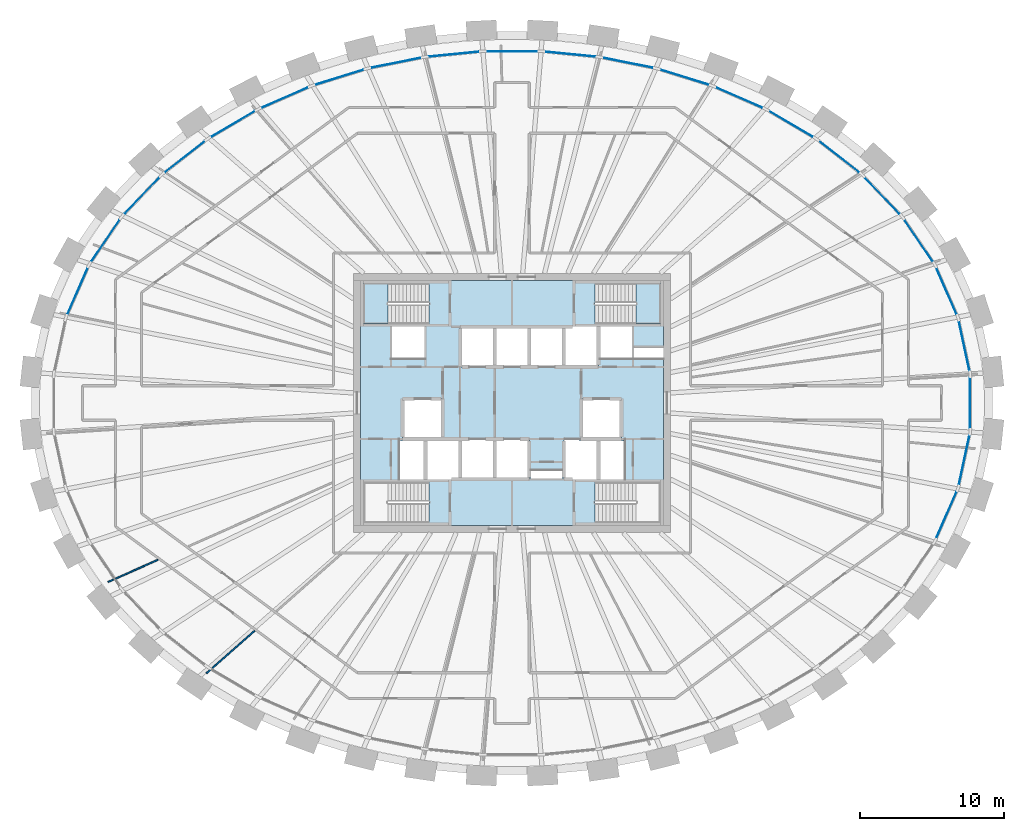
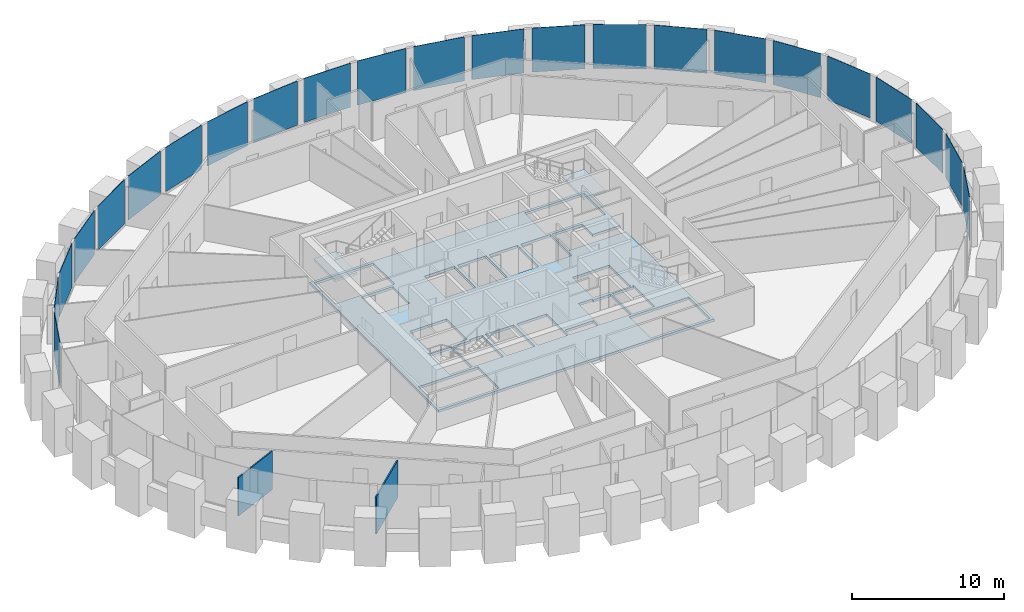
# One storey, part 5 of 12: 23 plates, 3 slabs, 2 walls, 3 elements without a shape of their own.
"""IFC4 building model written with IfcOpenShell, lengths in metres."""

from ifc_helpers import new_model, si_unit, direction, frame, frame_2d, origin, origin_2d, place, context, subcontext, project, spatial, polyline, rectangle, outline, extrude, source, transform, mapped, material, layer, layer_set, type_object, element, aggregate, save


model = new_model("IFC4")

# Units and contexts
model_context = context("Model", 3, precision=1e-05, world=origin(), true_north=direction((0.0, 1.0)))
body_context = subcontext(model_context, "Body", "Model", "MODEL_VIEW")
ifc_project = project(units=[si_unit("LENGTHUNIT", "METRE"), si_unit("AREAUNIT", "SQUARE_METRE"), si_unit("VOLUMEUNIT", "CUBIC_METRE"), si_unit("PLANEANGLEUNIT", "RADIAN"), si_unit("MASSUNIT", "GRAM", prefix="KILO")], contexts=[model_context])

# Site, building, storey
site_placement = place(None, origin())
site = spatial("IfcSite", under=ifc_project, at=site_placement, CompositionType="ELEMENT")
building_placement = place(site_placement, origin())
building = spatial("IfcBuilding", under=site, at=building_placement, Name="Embergate Tower", CompositionType="ELEMENT")
storey_placement = place(building_placement, frame((0.0, 0.0, 253.89990234375)))
storey = spatial("IfcBuildingStorey", under=building, at=storey_placement, Name="L58", CompositionType="ELEMENT", Elevation=253.89990234375)

# Curtain wall, plates
ifc_material_1 = material(Name="Aluminium and glass", Category="aluminium")
curtain_wall_type = type_object("IfcCurtainWallType", Name="Recessed office glazing", PredefinedType="NOTDEFINED", material=ifc_material_1)
curtain_wall_placement = place(storey_placement, origin())
curtain_wall = element("IfcCurtainWall", 1, at=curtain_wall_placement, inside=storey, type_object=curtain_wall_type, Name="Recessed office glazing ring", ObjectType="RECESSED OFFICE GLAZING", PredefinedType="USERDEFINED")
ifc_material_2 = material(Name="Triple glazing, low-emissivity coating", Category="glass")
ifc_layer_1 = layer(ifc_material_2, 0.035888671875)
ifc_layer_set_1 = layer_set([ifc_layer_1], Name="Triple glazing, low-emissivity coating")
plate_type = type_object("IfcPlateType", Name="Office glazing unit", PredefinedType="CURTAIN_PANEL", material=ifc_layer_set_1)
shared_shape_1 = source(origin(), body_context, "Body", "SweptSolid", [
    extrude(rectangle(XDim=3.489013671875, YDim=0.035888671875, at=origin_2d()), origin(), (0.0, 0.0, 1.0), 3.550048828125),
])
plate_1_placement = place(storey_placement, frame((31.380859375, 3.962890625, 0.14990234375), z_axis=(0.0, 0.0, 1.0), x_axis=(-0.210401803698, 0.977614996305, 0.0)))
plate_1 = element("IfcPlate", 2, at=plate_1_placement, type_object=plate_type, Name="CW panel 1.1", PredefinedType="CURTAIN_PANEL", context=body_context, shape_type="MappedRepresentation", body=[
    mapped(shared_shape_1, transform((0.0, 0.0, 0.0))),
])
plate_2_placement = place(storey_placement, frame((31.380859375, -3.962890625, 0.14990234375), z_axis=(0.0, 0.0, 1.0), x_axis=(0.210401803698, 0.977614996305, 0.0)))
plate_2 = element("IfcPlate", 3, at=plate_2_placement, type_object=plate_type, Name="CW panel 43.1", PredefinedType="CURTAIN_PANEL", context=body_context, shape_type="MappedRepresentation", body=[
    mapped(shared_shape_1, transform((0.0, 0.0, 0.0))),
])
shared_shape_2 = source(origin(), body_context, "Body", "SweptSolid", [
    extrude(rectangle(XDim=3.495849609375, YDim=0.035888671875, at=origin_2d()), origin(), (0.0, 0.0, 1.0), 3.550048828125),
])
plate_3_placement = place(storey_placement, frame((30.152587890625, 7.761474609375, 0.14990234375), z_axis=(0.0, 0.0, 1.0), x_axis=(-0.401656896229, 0.915790225822, 0.0)))
plate_3 = element("IfcPlate", 4, at=plate_3_placement, type_object=plate_type, Name="CW panel 2.1", PredefinedType="CURTAIN_PANEL", context=body_context, shape_type="MappedRepresentation", body=[
    mapped(shared_shape_2, transform((0.0, 0.0, 0.0))),
])
plate_4_placement = place(storey_placement, frame((-30.152587890625, 7.761474609375, 0.14990234375), z_axis=(0.0, 0.0, 1.0), x_axis=(-0.401656896229, -0.915790225822, 0.0)))
plate_4 = element("IfcPlate", 5, at=plate_4_placement, type_object=plate_type, Name="CW panel 20.1", PredefinedType="CURTAIN_PANEL", context=body_context, shape_type="MappedRepresentation", body=[
    mapped(shared_shape_2, transform((0.0, 0.0, 0.0))),
])
plate_5_placement = place(storey_placement, frame((30.152587890625, -7.761474609375, 0.14990234375), z_axis=(0.0, 0.0, 1.0), x_axis=(0.401656896229, 0.915790225822, 0.0)))
plate_5 = element("IfcPlate", 6, at=plate_5_placement, type_object=plate_type, Name="CW panel 42.1", PredefinedType="CURTAIN_PANEL", context=body_context, shape_type="MappedRepresentation", body=[
    mapped(shared_shape_2, transform((0.0, 0.0, 0.0))),
])
shared_shape_3 = source(origin(), body_context, "Body", "SweptSolid", [
    extrude(rectangle(XDim=3.504638671875, YDim=0.035888671875, at=origin_2d()), origin(), (0.0, 0.0, 1.0), 3.550048828125),
])
plate_6_placement = place(storey_placement, frame((28.214599609375, 11.264404296875, 0.14990234375), z_axis=(0.0, 0.0, 1.0), x_axis=(-0.562346071572, 0.826901986809, 0.0)))
plate_6 = element("IfcPlate", 7, at=plate_6_placement, type_object=plate_type, Name="CW panel 3.1", PredefinedType="CURTAIN_PANEL", context=body_context, shape_type="MappedRepresentation", body=[
    mapped(shared_shape_3, transform((0.0, 0.0, 0.0))),
])
plate_7_placement = place(storey_placement, frame((-28.214599609375, 11.264404296875, 0.14990234375), z_axis=(0.0, 0.0, 1.0), x_axis=(-0.562346071572, -0.826901986809, 0.0)))
plate_7 = element("IfcPlate", 8, at=plate_7_placement, type_object=plate_type, Name="CW panel 19.1", PredefinedType="CURTAIN_PANEL", context=body_context, shape_type="MappedRepresentation", body=[
    mapped(shared_shape_3, transform((0.0, 0.0, 0.0))),
])
shared_shape_4 = source(origin(), body_context, "Body", "SweptSolid", [
    extrude(rectangle(XDim=3.51318359375, YDim=0.035888671875, at=origin_2d()), origin(), (0.0, 0.0, 1.0), 3.550048828125),
])
plate_8_placement = place(storey_placement, frame((25.691162109375, 14.3876953125, 0.14990234375), z_axis=(0.0, 0.0, 1.0), x_axis=(-0.690137573644, 0.723678194673, 0.0)))
plate_8 = element("IfcPlate", 9, at=plate_8_placement, type_object=plate_type, Name="CW panel 4.1", PredefinedType="CURTAIN_PANEL", context=body_context, shape_type="MappedRepresentation", body=[
    mapped(shared_shape_4, transform((0.0, 0.0, 0.0))),
])
plate_9_placement = place(storey_placement, frame((-25.691162109375, 14.3876953125, 0.14990234375), z_axis=(0.0, 0.0, 1.0), x_axis=(-0.690137573644, -0.723678194673, 0.0)))
plate_9 = element("IfcPlate", 10, at=plate_9_placement, type_object=plate_type, Name="CW panel 18.1", PredefinedType="CURTAIN_PANEL", context=body_context, shape_type="MappedRepresentation", body=[
    mapped(shared_shape_4, transform((0.0, 0.0, 0.0))),
])
shared_shape_5 = source(origin(), body_context, "Body", "SweptSolid", [
    extrude(rectangle(XDim=3.5205078125, YDim=0.035888671875, at=origin_2d()), origin(), (0.0, 0.0, 1.0), 3.550048828125),
])
plate_10_placement = place(storey_placement, frame((22.706787109375, 17.08984375, 0.14990234375), z_axis=(0.0, 0.0, 1.0), x_axis=(-0.788322266931, 0.615262548398, 0.0)))
plate_10 = element("IfcPlate", 11, at=plate_10_placement, type_object=plate_type, Name="CW panel 5.1", PredefinedType="CURTAIN_PANEL", context=body_context, shape_type="MappedRepresentation", body=[
    mapped(shared_shape_5, transform((0.0, 0.0, 0.0))),
])
plate_11_placement = place(storey_placement, frame((-22.706787109375, 17.08984375, 0.14990234375), z_axis=(0.0, 0.0, 1.0), x_axis=(-0.788322266931, -0.615262548398, 0.0)))
plate_11 = element("IfcPlate", 12, at=plate_11_placement, type_object=plate_type, Name="CW panel 17.1", PredefinedType="CURTAIN_PANEL", context=body_context, shape_type="MappedRepresentation", body=[
    mapped(shared_shape_5, transform((0.0, 0.0, 0.0))),
])
shared_shape_6 = source(origin(), body_context, "Body", "SweptSolid", [
    extrude(rectangle(XDim=3.5263671875, YDim=0.035888671875, at=origin_2d()), origin(), (0.0, 0.0, 1.0), 3.550048828125),
])
plate_12_placement = place(storey_placement, frame((19.370361328125, 19.358154296875, 0.14990234375), z_axis=(0.0, 0.0, 1.0), x_axis=(-0.862054936934, 0.506814843614, 0.0)))
plate_12 = element("IfcPlate", 13, at=plate_12_placement, type_object=plate_type, Name="CW panel 6.1", PredefinedType="CURTAIN_PANEL", context=body_context, shape_type="MappedRepresentation", body=[
    mapped(shared_shape_6, transform((0.0, 0.0, 0.0))),
])
plate_13_placement = place(storey_placement, frame((-19.370361328125, 19.358154296875, 0.14990234375), z_axis=(0.0, 0.0, 1.0), x_axis=(-0.862054936934, -0.506814843614, 0.0)))
plate_13 = element("IfcPlate", 14, at=plate_13_placement, type_object=plate_type, Name="CW panel 16.1", PredefinedType="CURTAIN_PANEL", context=body_context, shape_type="MappedRepresentation", body=[
    mapped(shared_shape_6, transform((0.0, 0.0, 0.0))),
])
shared_shape_7 = source(origin(), body_context, "Body", "SweptSolid", [
    extrude(rectangle(XDim=3.53076171875, YDim=0.035888671875, at=origin_2d()), origin(), (0.0, 0.0, 1.0), 3.550048828125),
])
plate_14_placement = place(storey_placement, frame((15.7705078125, 21.195068359375, 0.14990234375), z_axis=(0.0, 0.0, 1.0), x_axis=(-0.916236910986, 0.400636896638, 0.0)))
plate_14 = element("IfcPlate", 15, at=plate_14_placement, type_object=plate_type, Name="CW panel 7.1", PredefinedType="CURTAIN_PANEL", context=body_context, shape_type="MappedRepresentation", body=[
    mapped(shared_shape_7, transform((0.0, 0.0, 0.0))),
])
plate_15_placement = place(storey_placement, frame((-15.7705078125, 21.195068359375, 0.14990234375), z_axis=(0.0, 0.0, 1.0), x_axis=(-0.916236910986, -0.400636896638, 0.0)))
plate_15 = element("IfcPlate", 16, at=plate_15_placement, type_object=plate_type, Name="CW panel 15.1", PredefinedType="CURTAIN_PANEL", context=body_context, shape_type="MappedRepresentation", body=[
    mapped(shared_shape_7, transform((0.0, 0.0, 0.0))),
])
shared_shape_8 = source(origin(), body_context, "Body", "SweptSolid", [
    extrude(rectangle(XDim=3.533935546875, YDim=0.035888671875, at=origin_2d()), origin(), (0.0, 0.0, 1.0), 3.550048828125),
])
plate_16_placement = place(storey_placement, frame((11.9794921875, 22.609130859375, 0.14990234375), z_axis=(0.0, 0.0, 1.0), x_axis=(-0.954772736126, 0.297336547283, 0.0)))
plate_16 = element("IfcPlate", 17, at=plate_16_placement, type_object=plate_type, Name="CW panel 8.1", PredefinedType="CURTAIN_PANEL", context=body_context, shape_type="MappedRepresentation", body=[
    mapped(shared_shape_8, transform((0.0, 0.0, 0.0))),
])
plate_17_placement = place(storey_placement, frame((-11.9794921875, 22.609130859375, 0.14990234375), z_axis=(0.0, 0.0, 1.0), x_axis=(-0.954772736126, -0.297336547283, 0.0)))
plate_17 = element("IfcPlate", 18, at=plate_17_placement, type_object=plate_type, Name="CW panel 14.1", PredefinedType="CURTAIN_PANEL", context=body_context, shape_type="MappedRepresentation", body=[
    mapped(shared_shape_8, transform((0.0, 0.0, 0.0))),
])
shared_shape_9 = source(origin(), body_context, "Body", "SweptSolid", [
    extrude(rectangle(XDim=3.5361328125, YDim=0.035888671875, at=origin_2d()), origin(), (0.0, 0.0, 1.0), 3.550048828125),
])
plate_18_placement = place(storey_placement, frame((8.055419921875, 23.610595703125, 0.14990234375), z_axis=(0.0, 0.0, 1.0), x_axis=(-0.980475907409, 0.196639250889, 0.0)))
plate_18 = element("IfcPlate", 19, at=plate_18_placement, type_object=plate_type, Name="CW panel 9.1", PredefinedType="CURTAIN_PANEL", context=body_context, shape_type="MappedRepresentation", body=[
    mapped(shared_shape_9, transform((0.0, 0.0, 0.0))),
])
plate_19_placement = place(storey_placement, frame((-8.055419921875, 23.610595703125, 0.14990234375), z_axis=(0.0, 0.0, 1.0), x_axis=(-0.980475907409, -0.196639250889, 0.0)))
plate_19 = element("IfcPlate", 20, at=plate_19_placement, type_object=plate_type, Name="CW panel 13.1", PredefinedType="CURTAIN_PANEL", context=body_context, shape_type="MappedRepresentation", body=[
    mapped(shared_shape_9, transform((0.0, 0.0, 0.0))),
])
shared_shape_10 = source(origin(), body_context, "Body", "SweptSolid", [
    extrude(rectangle(XDim=3.53759765625, YDim=0.035888671875, at=origin_2d()), origin(), (0.0, 0.0, 1.0), 3.550048828125),
])
plate_20_placement = place(storey_placement, frame((4.048095703125, 24.2080078125, 0.14990234375), z_axis=(0.0, 0.0, 1.0), x_axis=(-0.995203184788, 0.097829550688, 0.0)))
plate_20 = element("IfcPlate", 21, at=plate_20_placement, type_object=plate_type, Name="CW panel 10.1", PredefinedType="CURTAIN_PANEL", context=body_context, shape_type="MappedRepresentation", body=[
    mapped(shared_shape_10, transform((0.0, 0.0, 0.0))),
])
plate_21_placement = place(storey_placement, frame((-4.048095703125, 24.2080078125, 0.14990234375), z_axis=(0.0, 0.0, 1.0), x_axis=(-0.995203184788, -0.097829550688, 0.0)))
plate_21 = element("IfcPlate", 22, at=plate_21_placement, type_object=plate_type, Name="CW panel 12.1", PredefinedType="CURTAIN_PANEL", context=body_context, shape_type="MappedRepresentation", body=[
    mapped(shared_shape_10, transform((0.0, 0.0, 0.0))),
])
shared_shape_11 = source(origin(), body_context, "Body", "SweptSolid", [
    extrude(rectangle(XDim=3.537841796875, YDim=0.035888671875, at=origin_2d()), origin(), (0.0, 0.0, 1.0), 3.550048828125),
])
plate_22_placement = place(storey_placement, frame((0.0, 24.406494140625, 0.14990234375), z_axis=(0.0, 0.0, 1.0), x_axis=(-1.0, 0.0, 0.0)))
plate_22 = element("IfcPlate", 23, at=plate_22_placement, type_object=plate_type, Name="CW panel 11.1", PredefinedType="CURTAIN_PANEL", context=body_context, shape_type="MappedRepresentation", body=[
    mapped(shared_shape_11, transform((0.0, 0.0, 0.0))),
])
shared_shape_12 = source(origin(), body_context, "Body", "SweptSolid", [
    extrude(rectangle(XDim=3.486572265625, YDim=0.035888671875, at=origin_2d()), origin(), (0.0, 0.0, 1.0), 3.550048828125),
])
plate_23_placement = place(storey_placement, frame((31.802490234375, 0.0, 0.14990234375), z_axis=(0.0, 0.0, 1.0), x_axis=(0.0, 1.0, 0.0)))
plate_23 = element("IfcPlate", 24, at=plate_23_placement, type_object=plate_type, Name="CW panel 44.1", PredefinedType="CURTAIN_PANEL", context=body_context, shape_type="MappedRepresentation", body=[
    mapped(shared_shape_12, transform((0.0, 0.0, 0.0))),
])
aggregate(curtain_wall, [plate_1, plate_3, plate_6, plate_8, plate_10, plate_12, plate_14, plate_16, plate_18, plate_20, plate_22, plate_21, plate_19, plate_17, plate_15, plate_13, plate_11, plate_9, plate_7, plate_4, plate_5, plate_2, plate_23])

# Stair, slab
ifc_material_3 = material(Name="Exit stair")
stair_type = type_object("IfcStairType", Name="Exit stair", PredefinedType="HALF_TURN_STAIR", material=ifc_material_3)
stair_1_placement = place(storey_placement, origin())
stair_1 = element("IfcStair", 25, at=stair_1_placement, inside=storey, type_object=stair_type, Name="L58 Exit stair 1", PredefinedType="HALF_TURN_STAIR")
ifc_material_4 = material(Name="Concrete C40", Category="concrete")
ifc_layer_2 = layer(ifc_material_4, 0.199951171875)
ifc_layer_set_2 = layer_set([ifc_layer_2], Name="Concrete C40")
slab_type_1 = type_object("IfcSlabType", Name="Stair landing reinforced concrete", PredefinedType="LANDING", material=ifc_layer_set_2)
shared_shape_13 = source(origin(), body_context, "Body", "SweptSolid", [
    extrude(outline(polyline([(0.0, 0.0), (1.68994140625, 0.0), (1.68994140625, 2.800048828125), (0.0, 2.800048828125), (0.0, 0.0)])), origin(), (0.0, 0.0, 1.0), 0.2001953125),
])
slab_1_placement = place(storey_placement, frame((-10.300048828125, 5.5, 1.75)))
slab_1 = element("IfcSlab", 26, at=slab_1_placement, type_object=slab_type_1, Name="ST1 landing 1", PredefinedType="LANDING", context=body_context, shape_type="MappedRepresentation", body=[
    mapped(shared_shape_13, transform((0.0, 0.0, 0.0))),
])
aggregate(stair_1, [slab_1])

stair_2_placement = place(storey_placement, origin())
stair_2 = element("IfcStair", 27, at=stair_2_placement, inside=storey, type_object=stair_type, Name="L58 Exit stair 2", PredefinedType="HALF_TURN_STAIR")
slab_2_placement = place(storey_placement, frame((8.610107421875, 5.5, 1.75)))
slab_2 = element("IfcSlab", 28, at=slab_2_placement, type_object=slab_type_1, Name="ST2 landing 1", PredefinedType="LANDING", context=body_context, shape_type="MappedRepresentation", body=[
    mapped(shared_shape_13, transform((0.0, 0.0, 0.0))),
])
aggregate(stair_2, [slab_2])

# Slab
ifc_layer_3 = layer(ifc_material_4, 0.199951171875)
ifc_layer_set_3 = layer_set([ifc_layer_3], Name="Concrete C40")
slab_type_2 = type_object("IfcSlabType", Name="Core floor slab 200 reinforced concrete", PredefinedType="FLOOR", material=ifc_layer_set_3)
shared_shape_14 = source(origin(), body_context, "Body", "SweptSolid", [
    extrude(outline(polyline([(0.0, 0.0), (21.0, 0.0), (21.0, 11.60009765625), (18.89990234375, 11.60009765625), (16.625, 11.60009765625), (16.625, 13.800048828125), (18.89990234375, 13.800048828125), (18.89990234375, 12.39990234375), (21.0, 12.39990234375), (21.0, 17.0), (0.0, 17.0), (0.0, 0.0)]), holes=[polyline([(0.199951171875, 0.199951171875), (0.199951171875, 3.0), (4.739990234375, 3.0), (4.739990234375, 0.199951171875), (0.199951171875, 0.199951171875)]), polyline([(16.260009765625, 0.199951171875), (16.260009765625, 3.0), (20.800048828125, 3.0), (20.800048828125, 0.199951171875), (16.260009765625, 0.199951171875)]), polyline([(2.699951171875, 3.199951171875), (2.699951171875, 6.0), (2.77490234375, 6.0), (2.77490234375, 5.875), (4.375, 5.875), (4.375, 3.199951171875), (2.699951171875, 3.199951171875)]), polyline([(4.5, 3.199951171875), (4.5, 5.875), (5.824951171875, 5.875), (5.824951171875, 6.0), (6.77490234375, 6.0), (6.77490234375, 3.199951171875), (4.5, 3.199951171875)]), polyline([(7.02490234375, 3.199951171875), (7.02490234375, 6.0), (9.175048828125, 6.0), (9.175048828125, 3.199951171875), (7.02490234375, 3.199951171875)]), polyline([(9.425048828125, 3.199951171875), (9.425048828125, 6.0), (11.699951171875, 6.0), (11.699951171875, 3.199951171875), (9.425048828125, 3.199951171875)]), polyline([(11.824951171875, 3.199951171875), (11.824951171875, 3.803955078125), (13.97509765625, 3.803955078125), (13.97509765625, 3.199951171875), (11.824951171875, 3.199951171875)]), polyline([(14.10009765625, 3.199951171875), (14.10009765625, 6.0), (15.175048828125, 6.0), (15.175048828125, 5.875), (16.5, 5.875), (16.5, 3.199951171875), (14.10009765625, 3.199951171875)]), polyline([(16.625, 3.199951171875), (16.625, 5.875), (18.22509765625, 5.875), (18.22509765625, 6.0), (18.300048828125, 6.0), (18.300048828125, 3.199951171875), (16.625, 3.199951171875)]), polyline([(2.89990234375, 6.0), (2.89990234375, 8.800048828125), (5.699951171875, 8.800048828125), (5.699951171875, 6.125), (4.375, 6.125), (4.375, 6.0), (2.89990234375, 6.0)]), polyline([(16.625, 6.0), (16.625, 6.125), (15.300048828125, 6.125), (15.300048828125, 8.800048828125), (18.10009765625, 8.800048828125), (18.10009765625, 6.0), (16.625, 6.0)]), polyline([(6.89990234375, 11.0), (6.89990234375, 13.800048828125), (9.175048828125, 13.800048828125), (9.175048828125, 11.0), (6.89990234375, 11.0)]), polyline([(9.425048828125, 11.0), (9.425048828125, 13.800048828125), (11.574951171875, 13.800048828125), (11.574951171875, 11.0), (9.425048828125, 11.0)]), polyline([(11.824951171875, 11.0), (11.824951171875, 13.800048828125), (13.97509765625, 13.800048828125), (13.97509765625, 11.0), (11.824951171875, 11.0)]), polyline([(14.22509765625, 11.0), (14.22509765625, 13.800048828125), (16.5, 13.800048828125), (16.5, 11.0), (14.22509765625, 11.0)]), polyline([(2.10009765625, 11.60009765625), (2.10009765625, 13.800048828125), (4.5, 13.800048828125), (4.5, 11.60009765625), (2.10009765625, 11.60009765625)]), polyline([(0.199951171875, 14.0), (0.199951171875, 16.800048828125), (4.739990234375, 16.800048828125), (4.739990234375, 14.0), (0.199951171875, 14.0)]), polyline([(16.260009765625, 14.0), (16.260009765625, 16.800048828125), (20.800048828125, 16.800048828125), (20.800048828125, 14.0), (16.260009765625, 14.0)])]), origin(), (0.0, 0.0, 1.0), 0.199951171875),
])
slab_3_placement = place(storey_placement, frame((-10.5, -8.5, -0.199951171875)))
element("IfcSlab", 29, at=slab_3_placement, inside=storey, type_object=slab_type_2, Name="Core floor slab", PredefinedType="FLOOR", context=body_context, shape_type="MappedRepresentation", body=[
    mapped(shared_shape_14, transform((0.0, 0.0, 0.0))),
])

# Walls
ifc_material_5 = material(Name="Partition dry-lined 100")
ifc_layer_4 = layer(ifc_material_5, 0.10009765625)
ifc_layer_set_4 = layer_set([ifc_layer_4], Name="Partition dry-lined 100")
wall_type = type_object("IfcWallType", Name="Partition dry-lined 100", PredefinedType="PARTITIONING", material=ifc_layer_set_4)
shared_shape_15 = source(origin(), body_context, "Body", "SweptSolid", [
    extrude(rectangle(XDim=3.80859375, YDim=0.10009765625, at=frame_2d((1.904296875, 0.0))), origin(), (0.0, 0.0, 1.0), 3.10009765625),
])
wall_1_placement = place(storey_placement, frame((-24.56103515625, -10.8798828125, 0.0), z_axis=(0.0, 0.0, 1.0), x_axis=(-0.914231360912, -0.405192569929, 0.0)))
element("IfcWall", 30, at=wall_1_placement, inside=storey, type_object=wall_type, Name="IP-1 wall", PredefinedType="PARTITIONING", context=body_context, shape_type="MappedRepresentation", body=[
    mapped(shared_shape_15, transform((0.0, 0.0, 0.0))),
])
shared_shape_16 = source(origin(), body_context, "Body", "SweptSolid", [
    extrude(rectangle(XDim=4.472412109375, YDim=0.10009765625, at=frame_2d((2.236328125, 0.0))), origin(), (0.0, 0.0, 1.0), 3.0),
])
wall_2_placement = place(storey_placement, frame((-17.85888671875, -15.802978515625, 0.0), z_axis=(0.0, 0.0, 1.0), x_axis=(-0.748838167945, -0.662752893791, 0.0)))
element("IfcWall", 31, at=wall_2_placement, inside=storey, type_object=wall_type, Name="IP-1 wall", PredefinedType="PARTITIONING", context=body_context, shape_type="MappedRepresentation", body=[
    mapped(shared_shape_16, transform((0.0, 0.0, 0.0))),
])

save(model, "model.ifc")
